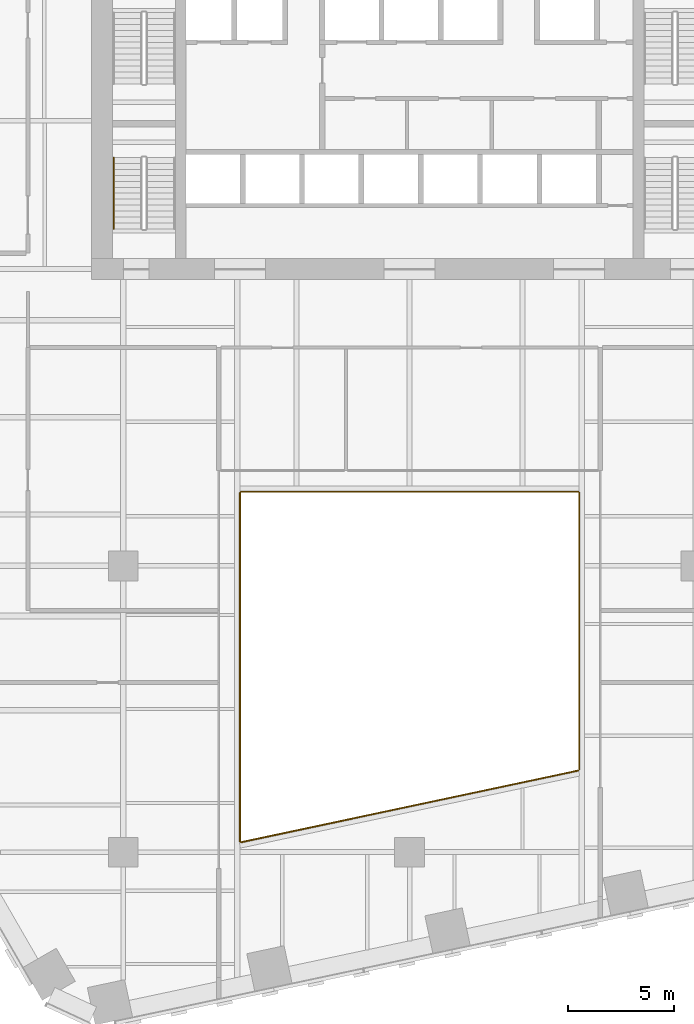
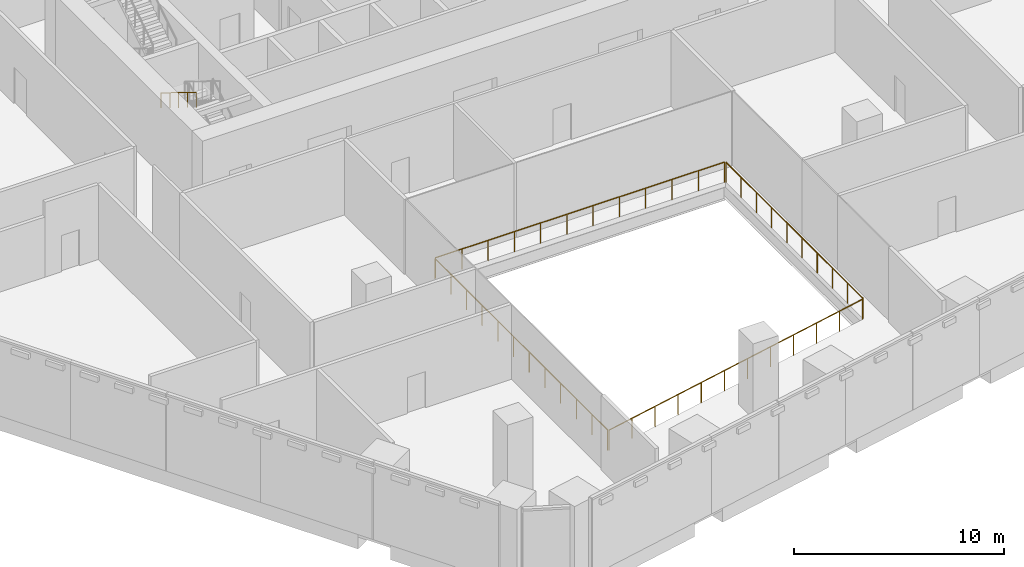
# One storey, part 18 of 19: 5 railings.
"""IFC4 building model written with IfcOpenShell, lengths in metres."""

from ifc_helpers import new_model, si_unit, direction, frame, origin, origin_2d, place, context, subcontext, project, spatial, circle, extrude, material, type_object, element, save


model = new_model("IFC4")

# Units and contexts
model_context = context("Model", 3, precision=1e-05, world=origin(), true_north=direction((0.0, 1.0)))
body_context = subcontext(model_context, "Body", "Model", "MODEL_VIEW")
ifc_project = project(units=[si_unit("LENGTHUNIT", "METRE"), si_unit("AREAUNIT", "SQUARE_METRE"), si_unit("VOLUMEUNIT", "CUBIC_METRE"), si_unit("PLANEANGLEUNIT", "RADIAN"), si_unit("MASSUNIT", "GRAM", prefix="KILO")], contexts=[model_context])

# Site, building, storey
site_placement = place(None, origin())
site = spatial("IfcSite", under=ifc_project, at=site_placement, CompositionType="ELEMENT")
building_placement = place(site_placement, origin())
building = spatial("IfcBuilding", under=site, at=building_placement, Name="Isthmus Gate Tower", CompositionType="ELEMENT")
storey_placement = place(building_placement, frame((0.0, 0.0, 76.14990234375)))
storey = spatial("IfcBuildingStorey", under=building, at=storey_placement, Name="L17", CompositionType="ELEMENT", Elevation=76.14990234375)

# Railings
ifc_material_1 = material(Name="Toughened laminated glass with stainless steel handrail", Category="steel")
railing_type_1 = type_object("IfcRailingType", Name="Atrium glass guard 1200", PredefinedType="GUARDRAIL", material=ifc_material_1)
railing_1_placement = place(storey_placement, frame((-7.951171875, -26.53369140625, 0.0)))
element("IfcRailing", 1, at=railing_1_placement, inside=storey, type_object=railing_type_1, Name="L17 atrium glass guard 1", PredefinedType="GUARDRAIL", context=body_context, shape_type="SweptSolid", body=[
    extrude(circle(Radius=0.030029296875, at=origin_2d()), frame((0.0, 0.0, 1.169921875), z_axis=(0.978147857881, 0.20791048103, 0.0), x_axis=(-0.20791048103, 0.978147857881, 0.0)), (0.0, 0.0, 1.0), 16.257568359375),
    extrude(circle(Radius=0.02490234375, at=origin_2d()), origin(), (0.0, 0.0, 1.0), 1.139892578125),
    extrude(circle(Radius=0.02490234375, at=origin_2d()), frame((1.445556640625, 0.307373046875, 0.0)), (0.0, 0.0, 1.0), 1.139892578125),
    extrude(circle(Radius=0.02490234375, at=origin_2d()), frame((2.891357421875, 0.614501953125, 0.0)), (0.0, 0.0, 1.0), 1.139892578125),
    extrude(circle(Radius=0.02490234375, at=origin_2d()), frame((4.3369140625, 0.921875, 0.0)), (0.0, 0.0, 1.0), 1.139892578125),
    extrude(circle(Radius=0.02490234375, at=origin_2d()), frame((5.78271484375, 1.229248046875, 0.0)), (0.0, 0.0, 1.0), 1.139892578125),
    extrude(circle(Radius=0.02490234375, at=origin_2d()), frame((7.228271484375, 1.536376953125, 0.0)), (0.0, 0.0, 1.0), 1.139892578125),
    extrude(circle(Radius=0.02490234375, at=origin_2d()), frame((8.674072265625, 1.84375, 0.0)), (0.0, 0.0, 1.0), 1.139892578125),
    extrude(circle(Radius=0.02490234375, at=origin_2d()), frame((10.11962890625, 2.15087890625, 0.0)), (0.0, 0.0, 1.0), 1.139892578125),
    extrude(circle(Radius=0.02490234375, at=origin_2d()), frame((11.5654296875, 2.458251953125, 0.0)), (0.0, 0.0, 1.0), 1.139892578125),
    extrude(circle(Radius=0.02490234375, at=origin_2d()), frame((13.010986328125, 2.765625, 0.0)), (0.0, 0.0, 1.0), 1.139892578125),
    extrude(circle(Radius=0.02490234375, at=origin_2d()), frame((14.456787109375, 3.07275390625, 0.0)), (0.0, 0.0, 1.0), 1.139892578125),
    extrude(circle(Radius=0.02490234375, at=origin_2d()), frame((15.90234375, 3.380126953125, 0.0)), (0.0, 0.0, 1.0), 1.139892578125),
])
railing_2_placement = place(storey_placement, frame((8.0, -23.09326171875, 0.0)))
element("IfcRailing", 2, at=railing_2_placement, inside=storey, type_object=railing_type_1, Name="L17 atrium glass guard 2", PredefinedType="GUARDRAIL", context=body_context, shape_type="SweptSolid", body=[
    extrude(circle(Radius=0.030029296875, at=origin_2d()), frame((0.0, 0.0, 1.169921875), z_axis=(0.0, 1.0, 0.0), x_axis=(-1.0, 0.0, 0.0)), (0.0, 0.0, 1.0), 13.043212890625),
    extrude(circle(Radius=0.02490234375, at=origin_2d()), origin(), (0.0, 0.0, 1.0), 1.139892578125),
    extrude(circle(Radius=0.02490234375, at=origin_2d()), frame((0.0, 1.44921875, 0.0)), (0.0, 0.0, 1.0), 1.139892578125),
    extrude(circle(Radius=0.02490234375, at=origin_2d()), frame((0.0, 2.8984375, 0.0)), (0.0, 0.0, 1.0), 1.139892578125),
    extrude(circle(Radius=0.02490234375, at=origin_2d()), frame((0.0, 4.34765625, 0.0)), (0.0, 0.0, 1.0), 1.139892578125),
    extrude(circle(Radius=0.02490234375, at=origin_2d()), frame((0.0, 5.796875, 0.0)), (0.0, 0.0, 1.0), 1.139892578125),
    extrude(circle(Radius=0.02490234375, at=origin_2d()), frame((0.0, 7.246337890625, 0.0)), (0.0, 0.0, 1.0), 1.139892578125),
    extrude(circle(Radius=0.02490234375, at=origin_2d()), frame((0.0, 8.695556640625, 0.0)), (0.0, 0.0, 1.0), 1.139892578125),
    extrude(circle(Radius=0.02490234375, at=origin_2d()), frame((0.0, 10.144775390625, 0.0)), (0.0, 0.0, 1.0), 1.139892578125),
    extrude(circle(Radius=0.02490234375, at=origin_2d()), frame((0.0, 11.593994140625, 0.0)), (0.0, 0.0, 1.0), 1.139892578125),
    extrude(circle(Radius=0.02490234375, at=origin_2d()), frame((0.0, 13.043212890625, 0.0)), (0.0, 0.0, 1.0), 1.139892578125),
])
railing_3_placement = place(storey_placement, frame((7.949951171875, -10.0, 0.0)))
element("IfcRailing", 3, at=railing_3_placement, inside=storey, type_object=railing_type_1, Name="L17 atrium glass guard 3", PredefinedType="GUARDRAIL", context=body_context, shape_type="SweptSolid", body=[
    extrude(circle(Radius=0.030029296875, at=origin_2d()), frame((0.0, 0.0, 1.169921875), z_axis=(-1.0, 0.0, 0.0), x_axis=(0.0, -1.0, 0.0)), (0.0, 0.0, 1.0), 15.89990234375),
    extrude(circle(Radius=0.02490234375, at=origin_2d()), origin(), (0.0, 0.0, 1.0), 1.139892578125),
    extrude(circle(Radius=0.02490234375, at=origin_2d()), frame((-1.445556640625, 0.0, 0.0)), (0.0, 0.0, 1.0), 1.139892578125),
    extrude(circle(Radius=0.02490234375, at=origin_2d()), frame((-2.890869140625, 0.0, 0.0)), (0.0, 0.0, 1.0), 1.139892578125),
    extrude(circle(Radius=0.02490234375, at=origin_2d()), frame((-4.33642578125, 0.0, 0.0)), (0.0, 0.0, 1.0), 1.139892578125),
    extrude(circle(Radius=0.02490234375, at=origin_2d()), frame((-5.78173828125, 0.0, 0.0)), (0.0, 0.0, 1.0), 1.139892578125),
    extrude(circle(Radius=0.02490234375, at=origin_2d()), frame((-7.227294921875, 0.0, 0.0)), (0.0, 0.0, 1.0), 1.139892578125),
    extrude(circle(Radius=0.02490234375, at=origin_2d()), frame((-8.672607421875, 0.0, 0.0)), (0.0, 0.0, 1.0), 1.139892578125),
    extrude(circle(Radius=0.02490234375, at=origin_2d()), frame((-10.1181640625, 0.0, 0.0)), (0.0, 0.0, 1.0), 1.139892578125),
    extrude(circle(Radius=0.02490234375, at=origin_2d()), frame((-11.5634765625, 0.0, 0.0)), (0.0, 0.0, 1.0), 1.139892578125),
    extrude(circle(Radius=0.02490234375, at=origin_2d()), frame((-13.009033203125, 0.0, 0.0)), (0.0, 0.0, 1.0), 1.139892578125),
    extrude(circle(Radius=0.02490234375, at=origin_2d()), frame((-14.454345703125, 0.0, 0.0)), (0.0, 0.0, 1.0), 1.139892578125),
    extrude(circle(Radius=0.02490234375, at=origin_2d()), frame((-15.89990234375, 0.0, 0.0)), (0.0, 0.0, 1.0), 1.139892578125),
])
railing_4_placement = place(storey_placement, frame((-8.0, -10.050048828125, 0.0)))
element("IfcRailing", 4, at=railing_4_placement, inside=storey, type_object=railing_type_1, Name="L17 atrium glass guard 4", PredefinedType="GUARDRAIL", context=body_context, shape_type="SweptSolid", body=[
    extrude(circle(Radius=0.030029296875, at=origin_2d()), frame((0.0, 0.0, 1.169921875), z_axis=(0.0, -1.0, 0.0), x_axis=(1.0, 0.0, 0.0)), (0.0, 0.0, 1.0), 16.444091796875),
    extrude(circle(Radius=0.02490234375, at=origin_2d()), origin(), (0.0, 0.0, 1.0), 1.139892578125),
    extrude(circle(Radius=0.02490234375, at=origin_2d()), frame((0.0, -1.494873046875, 0.0)), (0.0, 0.0, 1.0), 1.139892578125),
    extrude(circle(Radius=0.02490234375, at=origin_2d()), frame((0.0, -2.98974609375, 0.0)), (0.0, 0.0, 1.0), 1.139892578125),
    extrude(circle(Radius=0.02490234375, at=origin_2d()), frame((0.0, -4.48486328125, 0.0)), (0.0, 0.0, 1.0), 1.139892578125),
    extrude(circle(Radius=0.02490234375, at=origin_2d()), frame((0.0, -5.979736328125, 0.0)), (0.0, 0.0, 1.0), 1.139892578125),
    extrude(circle(Radius=0.02490234375, at=origin_2d()), frame((0.0, -7.474609375, 0.0)), (0.0, 0.0, 1.0), 1.139892578125),
    extrude(circle(Radius=0.02490234375, at=origin_2d()), frame((0.0, -8.969482421875, 0.0)), (0.0, 0.0, 1.0), 1.139892578125),
    extrude(circle(Radius=0.02490234375, at=origin_2d()), frame((0.0, -10.46435546875, 0.0)), (0.0, 0.0, 1.0), 1.139892578125),
    extrude(circle(Radius=0.02490234375, at=origin_2d()), frame((0.0, -11.959228515625, 0.0)), (0.0, 0.0, 1.0), 1.139892578125),
    extrude(circle(Radius=0.02490234375, at=origin_2d()), frame((0.0, -13.454345703125, 0.0)), (0.0, 0.0, 1.0), 1.139892578125),
    extrude(circle(Radius=0.02490234375, at=origin_2d()), frame((0.0, -14.94921875, 0.0)), (0.0, 0.0, 1.0), 1.139892578125),
    extrude(circle(Radius=0.02490234375, at=origin_2d()), frame((0.0, -16.444091796875, 0.0)), (0.0, 0.0, 1.0), 1.139892578125),
])
ifc_material_2 = material(Name="Stainless steel handrail", Category="steel")
railing_type_2 = type_object("IfcRailingType", Name="STAIR HANDRAIL 900", PredefinedType="HANDRAIL", material=ifc_material_2)
railing_5_placement = place(storey_placement, frame((-13.949951171875, 5.760009765625, 2.423095703125)))
element("IfcRailing", 5, at=railing_5_placement, inside=storey, type_object=railing_type_2, Name="L17 ST7 stair handrail 2", PredefinedType="HANDRAIL", context=body_context, shape_type="SweptSolid", body=[
    extrude(circle(Radius=0.02392578125, at=origin_2d()), frame((0.0, 0.0, 0.8759765625), z_axis=(0.0, -0.850623216509, 0.525775754039), x_axis=(1.0, 0.0, 0.0)), (0.0, 0.0, 1.0), 3.9501953125),
    extrude(circle(Radius=0.02099609375, at=origin_2d()), origin(), (0.0, 0.0, 1.0), 0.851806640625),
    extrude(circle(Radius=0.02099609375, at=origin_2d()), frame((0.0, -0.840087890625, 0.519287109375)), (0.0, 0.0, 1.0), 0.851806640625),
    extrude(circle(Radius=0.02099609375, at=origin_2d()), frame((0.0, -1.68017578125, 1.03857421875)), (0.0, 0.0, 1.0), 0.851806640625),
    extrude(circle(Radius=0.02099609375, at=origin_2d()), frame((0.0, -2.52001953125, 1.5576171875)), (0.0, 0.0, 1.0), 0.851806640625),
    extrude(circle(Radius=0.02099609375, at=origin_2d()), frame((0.0, -3.360107421875, 2.076904296875)), (0.0, 0.0, 1.0), 0.851806640625),
])

save(model, "model.ifc")
